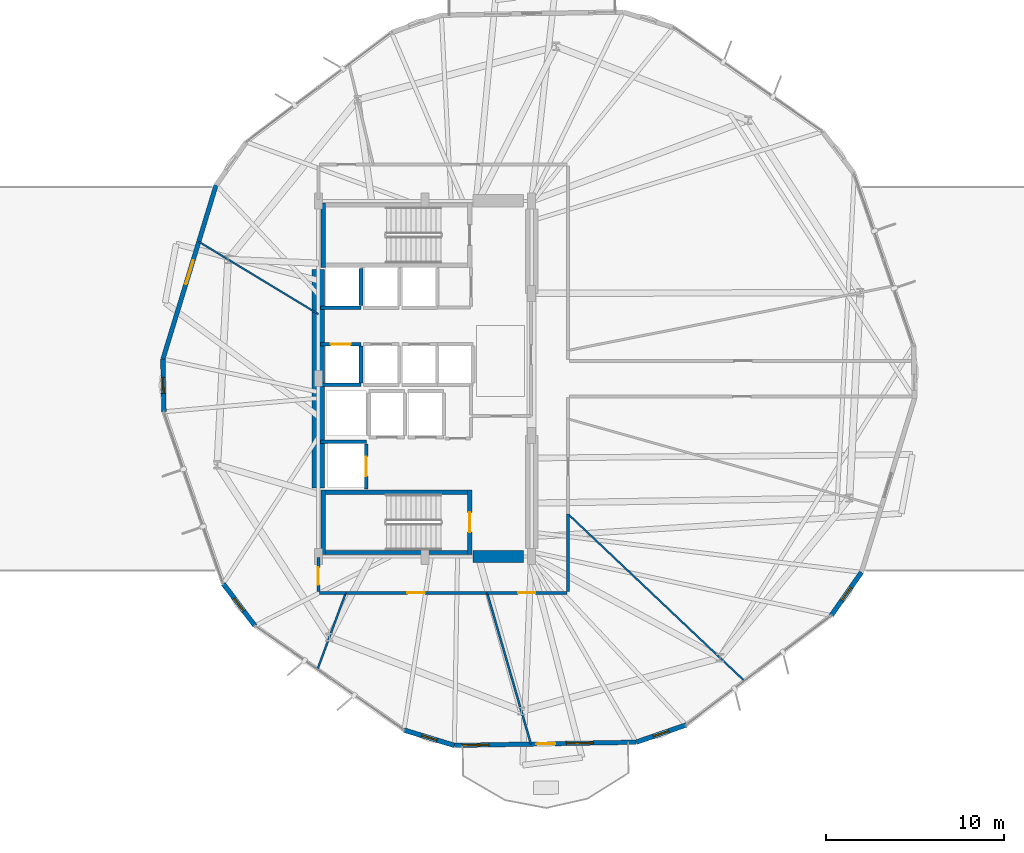
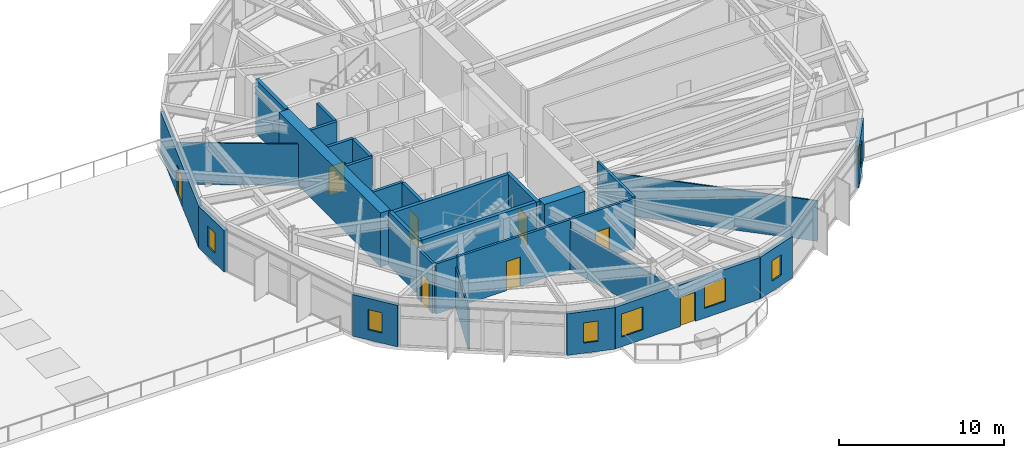
# One storey, part 17 of 23: 30 walls, 8 doors, 7 windows, 15 openings.
"""IFC4 building model written with IfcOpenShell, lengths in metres."""

import ifcopenshell
import ifcopenshell.guid

model = None  # the IFC model being written
_history = None  # IfcOwnerHistory: only IFC2X3 demands one
_inside = {}  # id of a spatial element -> (the spatial element, [elements in it])
_under = {}  # id of a project, library or spatial element -> (it, [spatial elements below it])
_declared = {}  # id of a project -> (the project, [libraries it declares])
_typed = {}  # id of a type object -> (the type object, [elements of that type])
_made_of = {}  # id of a material, layer set ... -> (it, [elements and type objects made of it])


def new_model(schema):
    """Start an empty IFC model of exactly this schema.

    Asked for "IFC4X3", IfcOpenShell would pick the latest addendum, in which some entities
    have other attributes; the version numbers below select the first issue.
    IFC2X3 requires an IfcOwnerHistory on every rooted entity: one is made here for all.
    """
    global model, _history
    if schema == "IFC4X3":
        model = ifcopenshell.file(schema_version=(4, 3, 0, 0))
    else:
        model = ifcopenshell.file(schema=schema)
    _inside.clear()
    _under.clear()
    _declared.clear()
    _typed.clear()
    _made_of.clear()
    _history = None
    if model.schema == "IFC2X3":
        org = make("IfcOrganization", Name="unknown")
        user = make(
            "IfcPersonAndOrganization",
            ThePerson=make("IfcPerson", FamilyName="unknown"),
            TheOrganization=org,
        )
        app = make(
            "IfcApplication",
            ApplicationDeveloper=org,
            Version="unknown",
            ApplicationFullName="unknown",
            ApplicationIdentifier="unknown",
        )
        _history = make(
            "IfcOwnerHistory",
            OwningUser=user,
            OwningApplication=app,
            ChangeAction="ADDED",
            CreationDate=0,
        )
    return model


def make(cls, **values):
    """One entity of the class cls with the attributes given. An attribute that is None is left unset."""
    return model.create_entity(
        cls, **{name: value for name, value in values.items() if value is not None}
    )


def rooted(cls, **values):
    """An entity with a GlobalId (a new one), such as an element, a storey or a relation."""
    return make(cls, GlobalId=ifcopenshell.guid.new(), OwnerHistory=_history, **values)


def si_unit(unit_type, name, prefix=None):
    """IfcSIUnit, for example si_unit("LENGTHUNIT", "METRE", prefix="MILLI")."""
    return make("IfcSIUnit", UnitType=unit_type, Prefix=prefix, Name=name)


def assignment(units):
    """IfcUnitAssignment: the units of a project."""
    return None if units is None else make("IfcUnitAssignment", Units=units)


def point(xyz):
    """IfcCartesianPoint."""
    return None if xyz is None else make("IfcCartesianPoint", Coordinates=xyz)


def direction(xyz):
    """IfcDirection."""
    return None if xyz is None else make("IfcDirection", DirectionRatios=xyz)


def frame(location, z_axis=None, x_axis=None):
    """IfcAxis2Placement3D, a coordinate frame: its origin and axes. An axis left out is left unset."""
    return make(
        "IfcAxis2Placement3D",
        Location=point(location),
        Axis=direction(z_axis),
        RefDirection=direction(x_axis),
    )


def frame_2d(location, x_axis=None):
    """IfcAxis2Placement2D, a coordinate frame in the plane: its origin and x axis."""
    return make(
        "IfcAxis2Placement2D", Location=point(location), RefDirection=direction(x_axis)
    )


def origin():
    """The frame at (0, 0, 0) with its axes left unset."""
    return frame((0.0, 0.0, 0.0))


def place(relative_to, where):
    """IfcLocalPlacement: puts the frame where relative to a parent placement (None: the world)."""
    return make(
        "IfcLocalPlacement", PlacementRelTo=relative_to, RelativePlacement=where
    )


def context(
    kind, dimensions, precision=None, world=None, true_north=None, identifier=None
):
    """IfcGeometricRepresentationContext, for example the 3D "Model" context."""
    return make(
        "IfcGeometricRepresentationContext",
        ContextIdentifier=identifier,
        ContextType=kind,
        CoordinateSpaceDimension=dimensions,
        Precision=precision,
        WorldCoordinateSystem=world,
        TrueNorth=true_north,
    )


def subcontext(parent, identifier, kind, view, scale=None):
    """IfcGeometricRepresentationSubContext, for example "Body" below "Model"."""
    return make(
        "IfcGeometricRepresentationSubContext",
        ContextIdentifier=identifier,
        ContextType=kind,
        ParentContext=parent,
        TargetScale=scale,
        TargetView=view,
    )


def project(units=None, contexts=None):
    """IfcProject with its units and contexts."""
    return rooted(
        "IfcProject",
        Name="project",
        RepresentationContexts=contexts,
        UnitsInContext=assignment(units),
    )


def spatial(cls, under=None, at=None, **own):
    """A site, building, storey or space (cls), placed at a placement, below another one or the project."""
    s = rooted(cls, ObjectPlacement=at, **own)
    if under is not None:
        _under.setdefault(under.id(), (under, []))[1].append(s)
    return s


def profile(cls, at=None, kind="AREA", **sizes):
    """A parametric profile (cls). Its sizes go by their IFC names, for example OverallWidth=200.0."""
    return make(cls, ProfileType=kind, Position=at, **sizes)


def rectangle(**sizes):
    """IfcRectangleProfileDef."""
    return profile("IfcRectangleProfileDef", **sizes)


def extrude(swept, where, along, depth):
    """IfcExtrudedAreaSolid: the profile swept, set in the frame where, extruded along a direction by depth."""
    return make(
        "IfcExtrudedAreaSolid",
        SweptArea=swept,
        Position=where,
        ExtrudedDirection=direction(along),
        Depth=depth,
    )


def shape(context_of_items, identifier, shape_type, items):
    """IfcShapeRepresentation: the items that make up one representation, for example the "Body"."""
    return make(
        "IfcShapeRepresentation",
        ContextOfItems=context_of_items,
        RepresentationIdentifier=identifier,
        RepresentationType=shape_type,
        Items=items,
    )


def material(Name=None, Category=None):
    """IfcMaterial."""
    return make("IfcMaterial", Name=Name, Category=Category)


def layer(
    of_material, thickness, ventilated=None, Name=None, Category=None, Priority=None
):
    """IfcMaterialLayer: one layer of a wall or slab, of a material (None: an air gap)."""
    return make(
        "IfcMaterialLayer",
        Material=of_material,
        LayerThickness=thickness,
        IsVentilated=ventilated,
        Name=Name,
        Category=Category,
        Priority=Priority,
    )


def layer_set(layers, Name=None):
    """IfcMaterialLayerSet."""
    return make("IfcMaterialLayerSet", MaterialLayers=layers, LayerSetName=Name)


def made_of(thing, what):
    """Note that an element or type object is made of a material, layer set ...; save() writes the relation."""
    if what is not None:
        _made_of.setdefault(what.id(), (what, []))[1].append(thing)
    return thing


def type_object(cls, material=None, **own):
    """A type object (cls), such as IfcWallType, which elements share."""
    return made_of(rooted(cls, **own), material)


def element(
    cls,
    number,
    at=None,
    inside=None,
    cuts=None,
    type_object=None,
    material=None,
    context=None,
    identifier="Body",
    shape_type=None,
    held_by="IfcProductDefinitionShape",
    body=None,
    shapes=None,
    **own,
):
    """One element of the class cls, such as IfcWall. Its Tag is "e" and its number.

    at: its placement. inside: the storey or other place that contains it. cuts: it is an
    opening in that element (IfcRelVoidsElement). A single representation is given by context,
    identifier, shape_type and body (its items); several are given by shapes. held_by: the class
    of the entity that holds the representations. save() writes the other relations.
    """
    e = rooted(cls, Tag="e%d" % number, ObjectPlacement=at, **own)
    if body is not None:
        shapes = [shape(context, identifier, shape_type, body)]
    if shapes is not None:
        e.Representation = make(held_by, Representations=shapes)
    if inside is not None:
        _inside.setdefault(inside.id(), (inside, []))[1].append(e)
    if cuts is not None:
        rooted(
            "IfcRelVoidsElement", RelatingBuildingElement=cuts, RelatedOpeningElement=e
        )
    if type_object is not None:
        _typed.setdefault(type_object.id(), (type_object, []))[1].append(e)
    return made_of(e, material)


def fill(opening, filler):
    """IfcRelFillsElement: the door or window that sits in an opening."""
    return rooted(
        "IfcRelFillsElement",
        RelatingOpeningElement=opening,
        RelatedBuildingElement=filler,
    )


def aggregate(whole, parts):
    """IfcRelAggregates: a whole, such as a stair, and the parts it consists of."""
    return rooted("IfcRelAggregates", RelatingObject=whole, RelatedObjects=parts)


def save(model, path):
    """Write the relations noted so far, then the file.

    IfcRelAggregates (storeys below a building ...), IfcRelContainedInSpatialStructure (elements
    in a storey), IfcRelDefinesByType, IfcRelAssociatesMaterial and IfcRelDeclares: one each for
    every whole, place, type object, material and project.
    """
    for whole, parts in _under.values():
        aggregate(whole, parts)
    for where, things in _inside.values():
        rooted(
            "IfcRelContainedInSpatialStructure",
            RelatedElements=things,
            RelatingStructure=where,
        )
    for kind, things in _typed.values():
        rooted("IfcRelDefinesByType", RelatedObjects=things, RelatingType=kind)
    for what, things in _made_of.values():
        rooted("IfcRelAssociatesMaterial", RelatedObjects=things, RelatingMaterial=what)
    for by, libraries in _declared.values():
        rooted("IfcRelDeclares", RelatingContext=by, RelatedDefinitions=libraries)
    model.write(path)


model = new_model("IFC4")

# Units and contexts
model_context = context("Model", 3, precision=1e-05, world=origin(), true_north=direction((0.0, 1.0)))
body_context = subcontext(model_context, "Body", "Model", "MODEL_VIEW")
ifc_project = project(units=[si_unit("LENGTHUNIT", "METRE"), si_unit("AREAUNIT", "SQUARE_METRE"), si_unit("VOLUMEUNIT", "CUBIC_METRE"), si_unit("PLANEANGLEUNIT", "RADIAN"), si_unit("MASSUNIT", "GRAM", prefix="KILO")], contexts=[model_context])

# Site, building, storey
site_placement = place(None, origin())
site = spatial("IfcSite", under=ifc_project, at=site_placement, CompositionType="ELEMENT")
building_placement = place(site_placement, origin())
building = spatial("IfcBuilding", under=site, at=building_placement, Name="Soratama Intermodal Tower", CompositionType="ELEMENT")
storey_placement = place(building_placement, frame((0.0, 0.0, 30.60009765625)))
storey = spatial("IfcBuildingStorey", under=building, at=storey_placement, Name="L06", CompositionType="ELEMENT", Elevation=30.60009765625)

# Wall, opening, door
ifc_material_1 = material(Name="Concrete f'c 42 MPa", Category="concrete")
ifc_layer_1 = layer(ifc_material_1, 0.25)
ifc_layer_set_1 = layer_set([ifc_layer_1], Name="Concrete f'c 42 MPa")
wall_type_1 = type_object("IfcWallType", Name="EW-BAL-250", PredefinedType="SOLIDWALL", material=ifc_layer_set_1)
wall_1_placement = place(storey_placement, frame((26.846435546875, 35.891357421875, 0.0), z_axis=(0.0, 0.0, 1.0), x_axis=(-0.292034213335, -0.956407872323, 0.0)))
wall_1 = element("IfcWall", 1, at=wall_1_placement, inside=storey, type_object=wall_type_1, Name="L06 Terrace Wall F05", PredefinedType="SOLIDWALL", context=body_context, shape_type="SweptSolid", body=[
    extrude(rectangle(XDim=10.230224609375, YDim=0.25, at=frame_2d((5.115234375, 0.0))), origin(), (0.0, 0.0, 1.0), 3.078857421875),
])
opening_1_placement = place(wall_1_placement, frame((4.4150390625, 0.0, 0.0)))
opening_1 = element("IfcOpeningElement", 2, at=opening_1_placement, cuts=wall_1, Name="Opening ED-3", PredefinedType="OPENING", context=body_context, shape_type="SweptSolid", body=[
    extrude(rectangle(XDim=1.39990234375, YDim=2.199951171875, at=frame_2d((0.699951171875, 1.10009765625))), frame((0.0, 0.135009765625, 0.0), z_axis=(0.0, -1.0, 0.0), x_axis=(1.0, 0.0, 0.0)), (0.0, 0.0, 1.0), 0.27001953125),
])
ifc_material_2 = material(Name="Double-glazed aluminium door", Category="aluminium")
door_type_1 = type_object("IfcDoorType", Name="DR-TERR-1400", OperationType="NOTDEFINED", PredefinedType="DOOR", material=ifc_material_2)
door_1_placement = place(opening_1_placement, origin())
door_1 = element("IfcDoor", 3, at=door_1_placement, inside=storey, type_object=door_type_1, Name="L06 Terrace Door F05", OperationType="SINGLE_SWING_RIGHT", OverallHeight=2.199951171875, OverallWidth=1.39990234375, PredefinedType="DOOR", context=body_context, shape_type="SweptSolid", body=[
    extrude(rectangle(XDim=1.39990234375, YDim=2.199951171875, at=frame_2d((0.699951171875, 1.10009765625))), frame((0.0, 0.02490234375, 0.0), z_axis=(0.0, -1.0, 0.0), x_axis=(1.0, 0.0, 0.0)), (0.0, 0.0, 1.0), 0.050048828125),
])
fill(opening_1, door_1)

# Wall, openings, door, windows
wall_2_placement = place(storey_placement, frame((40.251220703125, 4.369384765625, 0.0), z_axis=(0.0, 0.0, 1.0), x_axis=(0.999841518507, 0.017802748951, 0.0)))
wall_2 = element("IfcWall", 4, at=wall_2_placement, inside=storey, type_object=wall_type_1, Name="L06 Terrace Wall F08", PredefinedType="SOLIDWALL", context=body_context, shape_type="SweptSolid", body=[
    extrude(rectangle(XDim=10.23046875, YDim=0.25, at=frame_2d((5.115234375, 0.0))), origin(), (0.0, 0.0, 1.0), 3.078857421875),
])
opening_2_placement = place(wall_2_placement, frame((4.615234375, 0.0, 0.0)))
opening_2 = element("IfcOpeningElement", 5, at=opening_2_placement, cuts=wall_2, Name="Opening ED-5", PredefinedType="OPENING", context=body_context, shape_type="SweptSolid", body=[
    extrude(rectangle(XDim=1.050048828125, YDim=2.14990234375, at=frame_2d((0.52490234375, 1.074951171875))), frame((0.0, 0.135009765625, 0.0), z_axis=(0.0, -1.0, 0.0), x_axis=(1.0, 0.0, 0.0)), (0.0, 0.0, 1.0), 0.27001953125),
])
opening_3_placement = place(wall_2_placement, frame((0.43994140625, 0.0, 0.719970703125)))
opening_3 = element("IfcOpeningElement", 6, at=opening_3_placement, cuts=wall_2, Name="Opening WN-1", PredefinedType="OPENING", context=body_context, shape_type="SweptSolid", body=[
    extrude(rectangle(XDim=1.5, YDim=1.699951171875, at=frame_2d((0.75, 0.85009765625))), frame((0.0, 0.135009765625, 0.0), z_axis=(0.0, -1.0, 0.0), x_axis=(1.0, 0.0, 0.0)), (0.0, 0.0, 1.0), 0.27001953125),
])
opening_4_placement = place(wall_2_placement, frame((6.30517578125, 0.0, 0.719970703125)))
opening_4 = element("IfcOpeningElement", 7, at=opening_4_placement, cuts=wall_2, Name="Opening WN-1", PredefinedType="OPENING", context=body_context, shape_type="SweptSolid", body=[
    extrude(rectangle(XDim=1.5, YDim=1.699951171875, at=frame_2d((0.75, 0.85009765625))), frame((0.0, 0.135009765625, 0.0), z_axis=(0.0, -1.0, 0.0), x_axis=(1.0, 0.0, 0.0)), (0.0, 0.0, 1.0), 0.27001953125),
])
ifc_material_3 = material(Name="Double-glazed aluminium door", Category="aluminium")
door_type_2 = type_object("IfcDoorType", Name="DR-BAL-1050", OperationType="NOTDEFINED", PredefinedType="DOOR", material=ifc_material_3)
door_2_placement = place(opening_2_placement, origin())
door_2 = element("IfcDoor", 8, at=door_2_placement, inside=storey, type_object=door_type_2, Name="L06 Balcony Door F08", OperationType="SINGLE_SWING_RIGHT", OverallHeight=2.14990234375, OverallWidth=1.050048828125, PredefinedType="DOOR", context=body_context, shape_type="SweptSolid", body=[
    extrude(rectangle(XDim=1.050048828125, YDim=2.14990234375, at=frame_2d((0.52490234375, 1.074951171875))), frame((0.0, 0.02490234375, 0.0), z_axis=(0.0, -1.0, 0.0), x_axis=(1.0, 0.0, 0.0)), (0.0, 0.0, 1.0), 0.050048828125),
])
fill(opening_2, door_2)
ifc_material_4 = material(Name="Double-glazed aluminium window", Category="aluminium")
window_type_1 = type_object("IfcWindowType", Name="WN-FAC-1500", PartitioningType="SINGLE_PANEL", PredefinedType="WINDOW", material=ifc_material_4)
window_1_placement = place(opening_3_placement, origin())
window_1 = element("IfcWindow", 9, at=window_1_placement, inside=storey, type_object=window_type_1, Name="L06 Window A F08", OverallHeight=1.699951171875, OverallWidth=1.5, PartitioningType="SINGLE_PANEL", PredefinedType="WINDOW", context=body_context, shape_type="SweptSolid", body=[
    extrude(rectangle(XDim=1.5, YDim=1.699951171875, at=frame_2d((0.75, 0.85009765625))), frame((0.0, 0.030029296875, 0.0), z_axis=(0.0, -1.0, 0.0), x_axis=(1.0, 0.0, 0.0)), (0.0, 0.0, 1.0), 0.06005859375),
])
fill(opening_3, window_1)
window_2_placement = place(opening_4_placement, origin())
window_2 = element("IfcWindow", 10, at=window_2_placement, inside=storey, type_object=window_type_1, Name="L06 Window B F08", OverallHeight=1.699951171875, OverallWidth=1.5, PartitioningType="SINGLE_PANEL", PredefinedType="WINDOW", context=body_context, shape_type="SweptSolid", body=[
    extrude(rectangle(XDim=1.5, YDim=1.699951171875, at=frame_2d((0.75, 0.85009765625))), frame((0.0, 0.030029296875, 0.0), z_axis=(0.0, -1.0, 0.0), x_axis=(1.0, 0.0, 0.0)), (0.0, 0.0, 1.0), 0.06005859375),
])
fill(opening_4, window_2)

# Wall, opening, window
ifc_material_5 = material(Name="Concrete f'c 42 MPa", Category="concrete")
ifc_layer_2 = layer(ifc_material_5, 0.27001953125)
ifc_layer_set_2 = layer_set([ifc_layer_2], Name="Concrete f'c 42 MPa")
wall_type_2 = type_object("IfcWallType", Name="EW-CRN-270", PredefinedType="SOLIDWALL", material=ifc_layer_set_2)
wall_3_placement = place(storey_placement, frame((23.85888671875, 26.107177734375, 0.0), z_axis=(0.0, 0.0, 1.0), x_axis=(0.017776431734, -0.999841986753, 0.0)))
wall_3 = element("IfcWall", 11, at=wall_3_placement, inside=storey, type_object=wall_type_2, Name="L06 Corner Closure Wall 05", PredefinedType="SOLIDWALL", context=body_context, shape_type="SweptSolid", body=[
    extrude(rectangle(XDim=2.966552734375, YDim=0.27001953125, at=frame_2d((1.4833984375, 0.0))), origin(), (0.0, 0.0, 1.0), 3.078857421875),
])
opening_5_placement = place(wall_3_placement, frame((1.033203125, 0.0, 0.75)))
opening_5 = element("IfcOpeningElement", 12, at=opening_5_placement, cuts=wall_3, Name="Opening WN-6", PredefinedType="OPENING", context=body_context, shape_type="SweptSolid", body=[
    extrude(rectangle(XDim=0.89990234375, YDim=1.5, at=frame_2d((0.449951171875, 0.75))), frame((0.0, 0.14501953125, 0.0), z_axis=(0.0, -1.0, 0.0), x_axis=(1.0, 0.0, 0.0)), (0.0, 0.0, 1.0), 0.2900390625),
])
ifc_material_6 = material(Name="Double-glazed aluminium window", Category="aluminium")
window_type_2 = type_object("IfcWindowType", Name="WN-FAC-900", PartitioningType="SINGLE_PANEL", PredefinedType="WINDOW", material=ifc_material_6)
window_3_placement = place(opening_5_placement, origin())
window_3 = element("IfcWindow", 13, at=window_3_placement, inside=storey, type_object=window_type_2, Name="L06 Corner Window 05", OverallHeight=1.5, OverallWidth=0.89990234375, PartitioningType="SINGLE_PANEL", PredefinedType="WINDOW", context=body_context, shape_type="SweptSolid", body=[
    extrude(rectangle(XDim=0.89990234375, YDim=1.5, at=frame_2d((0.449951171875, 0.75))), frame((0.0, 0.030029296875, 0.0), z_axis=(0.0, -1.0, 0.0), x_axis=(1.0, 0.0, 0.0)), (0.0, 0.0, 1.0), 0.06005859375),
])
fill(opening_5, window_3)

wall_4_placement = place(storey_placement, frame((27.24560546875, 13.46923828125, 0.0), z_axis=(0.0, 0.0, 1.0), x_axis=(0.602130877059, -0.798397399102, 0.0)))
wall_4 = element("IfcWall", 14, at=wall_4_placement, inside=storey, type_object=wall_type_2, Name="L06 Corner Closure Wall 06", PredefinedType="SOLIDWALL", context=body_context, shape_type="SweptSolid", body=[
    extrude(rectangle(XDim=2.966796875, YDim=0.27001953125, at=frame_2d((1.4833984375, 0.0))), origin(), (0.0, 0.0, 1.0), 3.078857421875),
])
opening_6_placement = place(wall_4_placement, frame((1.033203125, 0.0, 0.75)))
opening_6 = element("IfcOpeningElement", 15, at=opening_6_placement, cuts=wall_4, Name="Opening WN-6", PredefinedType="OPENING", context=body_context, shape_type="SweptSolid", body=[
    extrude(rectangle(XDim=0.89990234375, YDim=1.5, at=frame_2d((0.449951171875, 0.75))), frame((0.0, 0.14501953125, 0.0), z_axis=(0.0, -1.0, 0.0), x_axis=(1.0, 0.0, 0.0)), (0.0, 0.0, 1.0), 0.2900390625),
])
window_4_placement = place(opening_6_placement, origin())
window_4 = element("IfcWindow", 16, at=window_4_placement, inside=storey, type_object=window_type_2, Name="L06 Corner Window 06", OverallHeight=1.5, OverallWidth=0.89990234375, PartitioningType="SINGLE_PANEL", PredefinedType="WINDOW", context=body_context, shape_type="SweptSolid", body=[
    extrude(rectangle(XDim=0.89990234375, YDim=1.5, at=frame_2d((0.449951171875, 0.75))), frame((0.0, 0.030029296875, 0.0), z_axis=(0.0, -1.0, 0.0), x_axis=(1.0, 0.0, 0.0)), (0.0, 0.0, 1.0), 0.06005859375),
])
fill(opening_6, window_4)

wall_5_placement = place(storey_placement, frame((37.4140625, 5.235595703125, 0.0), z_axis=(0.0, 0.0, 1.0), x_axis=(0.956417352577, -0.292003163836, 0.0)))
wall_5 = element("IfcWall", 17, at=wall_5_placement, inside=storey, type_object=wall_type_2, Name="L06 Corner Closure Wall 07", PredefinedType="SOLIDWALL", context=body_context, shape_type="SweptSolid", body=[
    extrude(rectangle(XDim=2.966552734375, YDim=0.27001953125, at=frame_2d((1.4833984375, 0.0))), origin(), (0.0, 0.0, 1.0), 3.078857421875),
])
opening_7_placement = place(wall_5_placement, frame((1.033203125, 0.0, 0.75)))
opening_7 = element("IfcOpeningElement", 18, at=opening_7_placement, cuts=wall_5, Name="Opening WN-6", PredefinedType="OPENING", context=body_context, shape_type="SweptSolid", body=[
    extrude(rectangle(XDim=0.89990234375, YDim=1.5, at=frame_2d((0.449951171875, 0.75))), frame((0.0, 0.14501953125, 0.0), z_axis=(0.0, -1.0, 0.0), x_axis=(1.0, 0.0, 0.0)), (0.0, 0.0, 1.0), 0.2900390625),
])
window_5_placement = place(opening_7_placement, origin())
window_5 = element("IfcWindow", 19, at=window_5_placement, inside=storey, type_object=window_type_2, Name="L06 Corner Window 07", OverallHeight=1.5, OverallWidth=0.89990234375, PartitioningType="SINGLE_PANEL", PredefinedType="WINDOW", context=body_context, shape_type="SweptSolid", body=[
    extrude(rectangle(XDim=0.89990234375, YDim=1.5, at=frame_2d((0.449951171875, 0.75))), frame((0.0, 0.030029296875, 0.0), z_axis=(0.0, -1.0, 0.0), x_axis=(1.0, 0.0, 0.0)), (0.0, 0.0, 1.0), 0.06005859375),
])
fill(opening_7, window_5)

wall_6_placement = place(storey_placement, frame((50.47998046875, 4.551513671875, 0.0), z_axis=(0.0, 0.0, 1.0), x_axis=(0.945407958228, 0.325889233512, 0.0)))
wall_6 = element("IfcWall", 20, at=wall_6_placement, inside=storey, type_object=wall_type_2, Name="L06 Corner Closure Wall 08", PredefinedType="SOLIDWALL", context=body_context, shape_type="SweptSolid", body=[
    extrude(rectangle(XDim=2.966552734375, YDim=0.27001953125, at=frame_2d((1.4833984375, 0.0))), origin(), (0.0, 0.0, 1.0), 3.078857421875),
])
opening_8_placement = place(wall_6_placement, frame((1.033203125, 0.0, 0.75)))
opening_8 = element("IfcOpeningElement", 21, at=opening_8_placement, cuts=wall_6, Name="Opening WN-6", PredefinedType="OPENING", context=body_context, shape_type="SweptSolid", body=[
    extrude(rectangle(XDim=0.89990234375, YDim=1.5, at=frame_2d((0.449951171875, 0.75))), frame((0.0, 0.14501953125, 0.0), z_axis=(0.0, -1.0, 0.0), x_axis=(1.0, 0.0, 0.0)), (0.0, 0.0, 1.0), 0.2900390625),
])
window_6_placement = place(opening_8_placement, origin())
window_6 = element("IfcWindow", 22, at=window_6_placement, inside=storey, type_object=window_type_2, Name="L06 Corner Window 08", OverallHeight=1.5, OverallWidth=0.89990234375, PartitioningType="SINGLE_PANEL", PredefinedType="WINDOW", context=body_context, shape_type="SweptSolid", body=[
    extrude(rectangle(XDim=0.89990234375, YDim=1.5, at=frame_2d((0.449951171875, 0.75))), frame((0.0, 0.030029296875, 0.0), z_axis=(0.0, -1.0, 0.0), x_axis=(1.0, 0.0, 0.0)), (0.0, 0.0, 1.0), 0.06005859375),
])
fill(opening_8, window_6)

wall_7_placement = place(storey_placement, frame((61.452880859375, 11.677978515625, 0.0), z_axis=(0.0, 0.0, 1.0), x_axis=(0.573285584338, 0.819355624128, 0.0)))
wall_7 = element("IfcWall", 23, at=wall_7_placement, inside=storey, type_object=wall_type_2, Name="L06 Corner Closure Wall 09", PredefinedType="SOLIDWALL", context=body_context, shape_type="SweptSolid", body=[
    extrude(rectangle(XDim=2.966552734375, YDim=0.27001953125, at=frame_2d((1.4833984375, 0.0))), origin(), (0.0, 0.0, 1.0), 3.078857421875),
])
opening_9_placement = place(wall_7_placement, frame((1.033203125, 0.0, 0.75)))
opening_9 = element("IfcOpeningElement", 24, at=opening_9_placement, cuts=wall_7, Name="Opening WN-6", PredefinedType="OPENING", context=body_context, shape_type="SweptSolid", body=[
    extrude(rectangle(XDim=0.89990234375, YDim=1.5, at=frame_2d((0.449951171875, 0.75))), frame((0.0, 0.14501953125, 0.0), z_axis=(0.0, -1.0, 0.0), x_axis=(1.0, 0.0, 0.0)), (0.0, 0.0, 1.0), 0.2900390625),
])
window_7_placement = place(opening_9_placement, origin())
window_7 = element("IfcWindow", 25, at=window_7_placement, inside=storey, type_object=window_type_2, Name="L06 Corner Window 09", OverallHeight=1.5, OverallWidth=0.89990234375, PartitioningType="SINGLE_PANEL", PredefinedType="WINDOW", context=body_context, shape_type="SweptSolid", body=[
    extrude(rectangle(XDim=0.89990234375, YDim=1.5, at=frame_2d((0.449951171875, 0.75))), frame((0.0, 0.030029296875, 0.0), z_axis=(0.0, -1.0, 0.0), x_axis=(1.0, 0.0, 0.0)), (0.0, 0.0, 1.0), 0.06005859375),
])
fill(opening_9, window_7)

# Wall, opening, door
ifc_material_7 = material(Name="Fire-rated gypsum stud partition", Category="concrete")
ifc_layer_3 = layer(ifc_material_7, 0.169921875)
ifc_layer_set_3 = layer_set([ifc_layer_3], Name="Fire-rated gypsum stud partition")
wall_type_3 = type_object("IfcWallType", Name="IW-PART-R170", PredefinedType="PARTITIONING", material=ifc_layer_set_3)
wall_8_placement = place(storey_placement, frame((42.093994140625, 12.949951171875, 0.0), z_axis=(0.0, 0.0, 1.0), x_axis=(-1.0, 0.0, 0.0)))
wall_8 = element("IfcWall", 26, at=wall_8_placement, inside=storey, type_object=wall_type_3, Name="L06 Partition W-L06-TP009", PredefinedType="PARTITIONING", context=body_context, shape_type="SweptSolid", body=[
    extrude(rectangle(XDim=7.950927734375, YDim=0.169921875, at=frame_2d((3.9755859375, 0.0))), origin(), (0.0, 0.0, 1.0), 3.699951171875),
])
opening_10_placement = place(wall_8_placement, frame((3.5009765625, 0.0, 0.0)))
opening_10 = element("IfcOpeningElement", 27, at=opening_10_placement, cuts=wall_8, Name="Opening ID-5", PredefinedType="OPENING", context=body_context, shape_type="SweptSolid", body=[
    extrude(rectangle(XDim=0.97998046875, YDim=2.14990234375, at=frame_2d((0.489990234375, 1.074951171875))), frame((0.0, 0.094970703125, 0.0), z_axis=(0.0, -1.0, 0.0), x_axis=(1.0, 0.0, 0.0)), (0.0, 0.0, 1.0), 0.18994140625),
])
ifc_material_8 = material(Name="Solid hardwood acoustic door", Category="wood")
door_type_3 = type_object("IfcDoorType", Name="DR-OFF-980", OperationType="NOTDEFINED", PredefinedType="DOOR", material=ifc_material_8)
door_3_placement = place(opening_10_placement, origin())
door_3 = element("IfcDoor", 28, at=door_3_placement, inside=storey, type_object=door_type_3, Name="L06 Door D-L06-TP004", OperationType="SINGLE_SWING_LEFT", OverallHeight=2.14990234375, OverallWidth=0.97998046875, PredefinedType="DOOR", context=body_context, shape_type="SweptSolid", body=[
    extrude(rectangle(XDim=0.97998046875, YDim=2.14990234375, at=frame_2d((0.489990234375, 1.074951171875))), frame((0.0, 0.02490234375, 0.0), z_axis=(0.0, -1.0, 0.0), x_axis=(1.0, 0.0, 0.0)), (0.0, 0.0, 1.0), 0.050048828125),
])
fill(opening_10, door_3)

wall_9_placement = place(storey_placement, frame((46.580078125, 12.949951171875, 0.0), z_axis=(0.0, 0.0, 1.0), x_axis=(-1.0, 0.0, 0.0)))
wall_9 = element("IfcWall", 29, at=wall_9_placement, inside=storey, type_object=wall_type_3, Name="L06 Partition W-L06-TP015", PredefinedType="PARTITIONING", context=body_context, shape_type="SweptSolid", body=[
    extrude(rectangle(XDim=4.486083984375, YDim=0.169921875, at=frame_2d((2.2431640625, 0.0))), origin(), (0.0, 0.0, 1.0), 3.699951171875),
])
opening_11_placement = place(wall_9_placement, frame((1.76806640625, 0.0, 0.0)))
opening_11 = element("IfcOpeningElement", 30, at=opening_11_placement, cuts=wall_9, Name="Opening ID-5", PredefinedType="OPENING", context=body_context, shape_type="SweptSolid", body=[
    extrude(rectangle(XDim=0.97998046875, YDim=2.14990234375, at=frame_2d((0.489990234375, 1.074951171875))), frame((0.0, 0.094970703125, 0.0), z_axis=(0.0, -1.0, 0.0), x_axis=(1.0, 0.0, 0.0)), (0.0, 0.0, 1.0), 0.18994140625),
])
door_4_placement = place(opening_11_placement, origin())
door_4 = element("IfcDoor", 31, at=door_4_placement, inside=storey, type_object=door_type_3, Name="L06 Door D-L06-TP007", OperationType="SINGLE_SWING_RIGHT", OverallHeight=2.14990234375, OverallWidth=0.97998046875, PredefinedType="DOOR", context=body_context, shape_type="SweptSolid", body=[
    extrude(rectangle(XDim=0.97998046875, YDim=2.14990234375, at=frame_2d((0.489990234375, 1.074951171875))), frame((0.0, 0.02490234375, 0.0), z_axis=(0.0, -1.0, 0.0), x_axis=(1.0, 0.0, 0.0)), (0.0, 0.0, 1.0), 0.050048828125),
])
fill(opening_11, door_4)

# Wall
wall_10_placement = place(storey_placement, frame((46.64990234375, 17.385009765625, 0.0), z_axis=(0.0, 0.0, 1.0), x_axis=(0.0, -1.0, 0.0)))
element("IfcWall", 32, at=wall_10_placement, inside=storey, type_object=wall_type_3, Name="L06 Partition W-L06-TP016", PredefinedType="PARTITIONING", context=body_context, shape_type="SweptSolid", body=[
    extrude(rectangle(XDim=4.364990234375, YDim=0.169921875, at=frame_2d((2.1826171875, 0.0))), origin(), (0.0, 0.0, 1.0), 3.699951171875),
])

# Wall, opening, door
wall_11_placement = place(storey_placement, frame((32.60009765625, 13.02001953125, 0.0), z_axis=(0.0, 0.0, 1.0), x_axis=(0.0, 1.0, 0.0)))
wall_11 = element("IfcWall", 33, at=wall_11_placement, inside=storey, type_object=wall_type_3, Name="L06 Partition W-L06-TP020", PredefinedType="PARTITIONING", context=body_context, shape_type="SweptSolid", body=[
    extrude(rectangle(XDim=1.909912109375, YDim=0.169921875, at=frame_2d((0.955078125, 0.0))), origin(), (0.0, 0.0, 1.0), 3.699951171875),
])
opening_12_placement = place(wall_11_placement, frame((0.384033203125, 0.0, 0.0)))
opening_12 = element("IfcOpeningElement", 34, at=opening_12_placement, cuts=wall_11, Name="Opening ID-5", PredefinedType="OPENING", context=body_context, shape_type="SweptSolid", body=[
    extrude(rectangle(XDim=0.97998046875, YDim=2.14990234375, at=frame_2d((0.489990234375, 1.074951171875))), frame((0.0, 0.094970703125, 0.0), z_axis=(0.0, -1.0, 0.0), x_axis=(1.0, 0.0, 0.0)), (0.0, 0.0, 1.0), 0.18994140625),
])
door_5_placement = place(opening_12_placement, origin())
door_5 = element("IfcDoor", 35, at=door_5_placement, inside=storey, type_object=door_type_3, Name="L06 Door D-L06-TP011", OperationType="SINGLE_SWING_RIGHT", OverallHeight=2.14990234375, OverallWidth=0.97998046875, PredefinedType="DOOR", context=body_context, shape_type="SweptSolid", body=[
    extrude(rectangle(XDim=0.97998046875, YDim=2.14990234375, at=frame_2d((0.489990234375, 1.074951171875))), frame((0.0, 0.02490234375, 0.0), z_axis=(0.0, -1.0, 0.0), x_axis=(1.0, 0.0, 0.0)), (0.0, 0.0, 1.0), 0.050048828125),
])
fill(opening_12, door_5)

# Walls
wall_12_placement = place(storey_placement, frame((34.14306640625, 12.949951171875, 0.0), z_axis=(0.0, 0.0, 1.0), x_axis=(-1.0, 0.0, 0.0)))
element("IfcWall", 36, at=wall_12_placement, inside=storey, type_object=wall_type_3, Name="L06 Partition W-L06-TP024", PredefinedType="PARTITIONING", context=body_context, shape_type="SweptSolid", body=[
    extrude(rectangle(XDim=1.47314453125, YDim=0.169921875, at=frame_2d((0.736572265625, 0.0))), origin(), (0.0, 0.0, 1.0), 3.699951171875),
])
ifc_material_9 = material(Name="Fire-rated gypsum stud partition", Category="concrete")
ifc_layer_4 = layer(ifc_material_9, 0.10009765625)
ifc_layer_set_4 = layer_set([ifc_layer_4], Name="Fire-rated gypsum stud partition")
wall_type_4 = type_object("IfcWallType", Name="IW-PART-S100", PredefinedType="PARTITIONING", material=ifc_layer_set_4)
wall_13_placement = place(storey_placement, frame((46.64990234375, 17.385009765625, 0.0), z_axis=(0.0, 0.0, 1.0), x_axis=(0.726425487131, -0.687245233993, 0.0)))
element("IfcWall", 37, at=wall_13_placement, inside=storey, type_object=wall_type_4, Name="L06 Partition W-L06-TP005", PredefinedType="PARTITIONING", context=body_context, shape_type="SweptSolid", body=[
    extrude(rectangle(XDim=13.658935546875, YDim=0.10009765625, at=frame_2d((6.82958984375, 0.0))), origin(), (0.0, 0.0, 1.0), 2.994873046875),
])
wall_14_placement = place(storey_placement, frame((32.60009765625, 28.634033203125, 0.0), z_axis=(0.0, 0.0, 1.0), x_axis=(-0.855390028233, 0.517984458839, 0.0)))
element("IfcWall", 38, at=wall_14_placement, inside=storey, type_object=wall_type_4, Name="L06 Partition W-L06-TP010", PredefinedType="PARTITIONING", context=body_context, shape_type="SweptSolid", body=[
    extrude(rectangle(XDim=7.86328125, YDim=0.10009765625, at=frame_2d((3.931640625, 0.0))), origin(), (0.0, 0.0, 1.0), 3.073974609375),
])
ifc_material_10 = material(Name="Fire-rated gypsum stud partition", Category="concrete")
ifc_layer_5 = layer(ifc_material_10, 0.110107421875)
ifc_layer_set_5 = layer_set([ifc_layer_5], Name="Fire-rated gypsum stud partition")
wall_type_5 = type_object("IfcWallType", Name="IW-PART-S110", PredefinedType="PARTITIONING", material=ifc_layer_set_5)
wall_15_placement = place(storey_placement, frame((34.14306640625, 12.949951171875, 0.0), z_axis=(0.0, 0.0, 1.0), x_axis=(-0.3470565426, -0.937844206805, 0.0)))
element("IfcWall", 39, at=wall_15_placement, inside=storey, type_object=wall_type_5, Name="L06 Partition W-L06-TP014", PredefinedType="PARTITIONING", context=body_context, shape_type="SweptSolid", body=[
    extrude(rectangle(XDim=4.595703125, YDim=0.110107421875, at=frame_2d((2.2978515625, 0.0))), origin(), (0.0, 0.0, 1.0), 2.994873046875),
])
ifc_material_11 = material(Name="Fire-rated gypsum stud partition", Category="concrete")
ifc_layer_6 = layer(ifc_material_11, 0.1201171875)
ifc_layer_set_6 = layer_set([ifc_layer_6], Name="Fire-rated gypsum stud partition")
wall_type_6 = type_object("IfcWallType", Name="IW-PART-S120", PredefinedType="PARTITIONING", material=ifc_layer_set_6)
wall_16_placement = place(storey_placement, frame((42.093994140625, 12.949951171875, 0.0), z_axis=(0.0, 0.0, 1.0), x_axis=(0.278517328655, -0.960431204011, 0.0)))
element("IfcWall", 40, at=wall_16_placement, inside=storey, type_object=wall_type_6, Name="L06 Partition W-L06-TP008", PredefinedType="PARTITIONING", context=body_context, shape_type="SweptSolid", body=[
    extrude(rectangle(XDim=8.854248046875, YDim=0.1201171875, at=frame_2d((4.42724609375, 0.0))), origin(), (0.0, 0.0, 1.0), 2.994873046875),
])
ifc_material_12 = material(Name="Concrete f'c 42 MPa", Category="concrete")
ifc_layer_7 = layer(ifc_material_12, 0.199951171875)
ifc_layer_set_7 = layer_set([ifc_layer_7], Name="Concrete f'c 42 MPa")
wall_type_7 = type_object("IfcWallType", Name="IW-SHAFT-200", PredefinedType="SOLIDWALL", material=ifc_layer_set_7)
wall_17_placement = place(storey_placement, frame((32.719970703125, 21.449951171875, 0.0), z_axis=(0.0, 0.0, 1.0), x_axis=(1.0, 0.0, 0.0)))
element("IfcWall", 41, at=wall_17_placement, inside=storey, type_object=wall_type_7, Name="L06 SVL-1 Hoistway Wall N", PredefinedType="SOLIDWALL", context=body_context, shape_type="SweptSolid", body=[
    extrude(rectangle(XDim=2.580078125, YDim=0.199951171875, at=frame_2d((1.2900390625, 0.0))), origin(), (0.0, 0.0, 1.0), 3.699951171875),
])

# Wall, opening, door
wall_18_placement = place(storey_placement, frame((35.300048828125, 18.7900390625, 0.0), z_axis=(0.0, 0.0, 1.0), x_axis=(0.0, 1.0, 0.0)))
wall_18 = element("IfcWall", 42, at=wall_18_placement, inside=storey, type_object=wall_type_7, Name="L06 SVL-1 Hoistway Wall E", PredefinedType="SOLIDWALL", context=body_context, shape_type="SweptSolid", body=[
    extrude(rectangle(XDim=2.550048828125, YDim=0.199951171875, at=frame_2d((1.27490234375, 0.0))), origin(), (0.0, 0.0, 1.0), 3.699951171875),
])
opening_13_placement = place(wall_18_placement, frame((0.72509765625, 0.0, 0.0)))
opening_13 = element("IfcOpeningElement", 43, at=opening_13_placement, cuts=wall_18, Name="Opening LD-1", PredefinedType="OPENING", context=body_context, shape_type="SweptSolid", body=[
    extrude(rectangle(XDim=1.10009765625, YDim=2.14990234375, at=frame_2d((0.550048828125, 1.074951171875))), frame((0.0, 0.10986328125, 0.0), z_axis=(0.0, -1.0, 0.0), x_axis=(1.0, 0.0, 0.0)), (0.0, 0.0, 1.0), 0.219970703125),
])
ifc_material_13 = material(Name="Steel fire door", Category="steel")
door_type_4 = type_object("IfcDoorType", Name="DR-LIFT-SLIDE", OperationType="NOTDEFINED", PredefinedType="DOOR", material=ifc_material_13)
door_6_placement = place(opening_13_placement, origin())
door_6 = element("IfcDoor", 44, at=door_6_placement, inside=storey, type_object=door_type_4, Name="L06 SVL-1 Sliding Landing Door", OperationType="SLIDING_TO_LEFT", OverallHeight=2.14990234375, OverallWidth=1.10009765625, PredefinedType="DOOR", context=body_context, shape_type="SweptSolid", body=[
    extrude(rectangle(XDim=1.10009765625, YDim=2.14990234375, at=frame_2d((0.550048828125, 1.074951171875))), frame((0.0, 0.02490234375, 0.0), z_axis=(0.0, -1.0, 0.0), x_axis=(1.0, 0.0, 0.0)), (0.0, 0.0, 1.0), 0.050048828125),
])
fill(opening_13, door_6)

# Wall
wall_19_placement = place(storey_placement, frame((32.719970703125, 24.64990234375, 0.0), z_axis=(0.0, 0.0, 1.0), x_axis=(1.0, 0.0, 0.0)))
element("IfcWall", 45, at=wall_19_placement, inside=storey, type_object=wall_type_7, Name="L06 PL-L1 Hoistway Wall S", PredefinedType="SOLIDWALL", context=body_context, shape_type="SweptSolid", body=[
    extrude(rectangle(XDim=2.280029296875, YDim=0.199951171875, at=frame_2d((1.14013671875, 0.0))), origin(), (0.0, 0.0, 1.0), 3.699951171875),
])

# Wall, opening, door
wall_20_placement = place(storey_placement, frame((32.719970703125, 26.949951171875, 0.0), z_axis=(0.0, 0.0, 1.0), x_axis=(1.0, 0.0, 0.0)))
wall_20 = element("IfcWall", 46, at=wall_20_placement, inside=storey, type_object=wall_type_7, Name="L06 PL-L1 Hoistway Wall N", PredefinedType="SOLIDWALL", context=body_context, shape_type="SweptSolid", body=[
    extrude(rectangle(XDim=2.280029296875, YDim=0.199951171875, at=frame_2d((1.14013671875, 0.0))), origin(), (0.0, 0.0, 1.0), 3.699951171875),
])
opening_14_placement = place(wall_20_placement, frame((0.590087890625, 0.0, 0.0)))
opening_14 = element("IfcOpeningElement", 47, at=opening_14_placement, cuts=wall_20, Name="Opening LD-1", PredefinedType="OPENING", context=body_context, shape_type="SweptSolid", body=[
    extrude(rectangle(XDim=1.10009765625, YDim=2.14990234375, at=frame_2d((0.550048828125, 1.074951171875))), frame((0.0, 0.10986328125, 0.0), z_axis=(0.0, -1.0, 0.0), x_axis=(1.0, 0.0, 0.0)), (0.0, 0.0, 1.0), 0.219970703125),
])
door_7_placement = place(opening_14_placement, origin())
door_7 = element("IfcDoor", 48, at=door_7_placement, inside=storey, type_object=door_type_4, Name="L06 PL-L1 Sliding Landing Door", OperationType="SLIDING_TO_LEFT", OverallHeight=2.14990234375, OverallWidth=1.10009765625, PredefinedType="DOOR", context=body_context, shape_type="SweptSolid", body=[
    extrude(rectangle(XDim=1.10009765625, YDim=2.14990234375, at=frame_2d((0.550048828125, 1.074951171875))), frame((0.0, 0.02490234375, 0.0), z_axis=(0.0, -1.0, 0.0), x_axis=(1.0, 0.0, 0.0)), (0.0, 0.0, 1.0), 0.050048828125),
])
fill(opening_14, door_7)

# Walls
wall_21_placement = place(storey_placement, frame((35.0, 24.760009765625, 0.0), z_axis=(0.0, 0.0, 1.0), x_axis=(0.0, 1.0, 0.0)))
element("IfcWall", 49, at=wall_21_placement, inside=storey, type_object=wall_type_7, Name="L06 PL-L1 Hoistway Wall E", PredefinedType="SOLIDWALL", context=body_context, shape_type="SweptSolid", body=[
    extrude(rectangle(XDim=2.080078125, YDim=0.199951171875, at=frame_2d((1.0400390625, 0.0))), origin(), (0.0, 0.0, 1.0), 3.699951171875),
])
wall_22_placement = place(storey_placement, frame((32.719970703125, 29.0, 0.0), z_axis=(0.0, 0.0, 1.0), x_axis=(1.0, 0.0, 0.0)))
element("IfcWall", 50, at=wall_22_placement, inside=storey, type_object=wall_type_7, Name="L06 PL-M2 Hoistway Wall S", PredefinedType="SOLIDWALL", context=body_context, shape_type="SweptSolid", body=[
    extrude(rectangle(XDim=2.280029296875, YDim=0.199951171875, at=frame_2d((1.14013671875, 0.0))), origin(), (0.0, 0.0, 1.0), 3.699951171875),
])
wall_23_placement = place(storey_placement, frame((35.0, 29.110107421875, 0.0), z_axis=(0.0, 0.0, 1.0), x_axis=(0.0, 1.0, 0.0)))
element("IfcWall", 51, at=wall_23_placement, inside=storey, type_object=wall_type_7, Name="L06 PL-M2 Hoistway Wall E", PredefinedType="SOLIDWALL", context=body_context, shape_type="SweptSolid", body=[
    extrude(rectangle(XDim=2.099853515625, YDim=0.199951171875, at=frame_2d((1.0498046875, 0.0))), origin(), (0.0, 0.0, 1.0), 3.699951171875),
])
ifc_material_14 = material(Name="Concrete f'c 56 MPa", Category="concrete")
ifc_layer_8 = layer(ifc_material_14, 0.699951171875)
ifc_layer_set_8 = layer_set([ifc_layer_8], Name="Concrete f'c 56 MPa")
wall_type_8 = type_object("IfcWallType", Name="SW-CORE-700", PredefinedType="SHEAR", material=ifc_layer_set_8)
wall_24_placement = place(storey_placement, frame((32.60009765625, 18.85009765625, 0.0), z_axis=(0.0, 0.0, 1.0), x_axis=(0.0, 1.0, 0.0)))
element("IfcWall", 52, at=wall_24_placement, inside=storey, type_object=wall_type_8, Name="L06 Core Shear Wall CW-WMID", PredefinedType="SHEAR", context=body_context, shape_type="SweptSolid", body=[
    extrude(rectangle(XDim=12.2998046875, YDim=0.699951171875, at=frame_2d((6.14990234375, 0.0))), origin(), (0.0, 0.0, 1.0), 4.0),
])
wall_25_placement = place(storey_placement, frame((41.300048828125, 15.0, 0.0), z_axis=(0.0, 0.0, 1.0), x_axis=(1.0, 0.0, 0.0)))
element("IfcWall", 53, at=wall_25_placement, inside=storey, type_object=wall_type_8, Name="L06 Core Shear Wall CW-SE", PredefinedType="SHEAR", context=body_context, shape_type="SweptSolid", body=[
    extrude(rectangle(XDim=2.849853515625, YDim=0.699951171875, at=frame_2d((1.4248046875, 0.0))), origin(), (0.0, 0.0, 1.0), 4.0),
])
ifc_material_15 = material(Name="Concrete f'c 56 MPa", Category="concrete")
ifc_layer_9 = layer(ifc_material_15, 0.239990234375)
ifc_layer_set_9 = layer_set([ifc_layer_9], Name="Concrete f'c 56 MPa")
wall_type_9 = type_object("IfcWallType", Name="SW-STAIR-240", PredefinedType="SHEAR", material=ifc_layer_set_9)
wall_26_placement = place(storey_placement, frame((32.8798828125, 15.110107421875, 0.0), z_axis=(0.0, 0.0, 1.0), x_axis=(0.0, 1.0, 0.0)))
element("IfcWall", 54, at=wall_26_placement, inside=storey, type_object=wall_type_9, Name="L06 ST-1 Shaft Shear Wall W", PredefinedType="SHEAR", context=body_context, shape_type="SweptSolid", body=[
    extrude(rectangle(XDim=3.6298828125, YDim=0.239990234375, at=frame_2d((1.81494140625, 0.0))), origin(), (0.0, 0.0, 1.0), 4.0),
])

# Wall, opening, door
wall_27_placement = place(storey_placement, frame((41.1201171875, 15.110107421875, 0.0), z_axis=(0.0, 0.0, 1.0), x_axis=(0.0, 1.0, 0.0)))
wall_27 = element("IfcWall", 55, at=wall_27_placement, inside=storey, type_object=wall_type_9, Name="L06 ST-1 Shaft Shear Wall E", PredefinedType="SHEAR", context=body_context, shape_type="SweptSolid", body=[
    extrude(rectangle(XDim=3.6298828125, YDim=0.239990234375, at=frame_2d((1.81494140625, 0.0))), origin(), (0.0, 0.0, 1.0), 4.0),
])
opening_15_placement = place(wall_27_placement, frame((1.2548828125, 0.0, 0.0)))
opening_15 = element("IfcOpeningElement", 56, at=opening_15_placement, cuts=wall_27, Name="Opening SD-1", PredefinedType="OPENING", context=body_context, shape_type="SweptSolid", body=[
    extrude(rectangle(XDim=1.1201171875, YDim=2.14990234375, at=frame_2d((0.56005859375, 1.074951171875))), frame((0.0, 0.1298828125, 0.0), z_axis=(0.0, -1.0, 0.0), x_axis=(1.0, 0.0, 0.0)), (0.0, 0.0, 1.0), 0.260009765625),
])
ifc_material_16 = material(Name="Steel fire door", Category="steel")
door_type_5 = type_object("IfcDoorType", Name="DR-STAIR-FD90", OperationType="NOTDEFINED", PredefinedType="DOOR", material=ifc_material_16)
door_8_placement = place(opening_15_placement, origin())
door_8 = element("IfcDoor", 57, at=door_8_placement, inside=storey, type_object=door_type_5, Name="L06 ST-1 Exit Stair Door", OperationType="SINGLE_SWING_LEFT", OverallHeight=2.14990234375, OverallWidth=1.1201171875, PredefinedType="DOOR", context=body_context, shape_type="SweptSolid", body=[
    extrude(rectangle(XDim=1.1201171875, YDim=2.14990234375, at=frame_2d((0.56005859375, 1.074951171875))), frame((0.0, 0.02490234375, 0.0), z_axis=(0.0, -1.0, 0.0), x_axis=(1.0, 0.0, 0.0)), (0.0, 0.0, 1.0), 0.050048828125),
])
fill(opening_15, door_8)

# Walls
for number, where, z_axis, x_axis, name in (
    (58, (33.0, 15.22998046875, 0.0), (0.0, 0.0, 1.0), (1.0, 0.0, 0.0), "L06 ST-1 Shaft Shear Wall S"),
    (59, (33.0, 18.6201171875, 0.0), (0.0, 0.0, 1.0), (1.0, 0.0, 0.0), "L06 ST-1 Shaft Shear Wall N"),
):
    element("IfcWall", number, at=place(storey_placement, frame(where, z_axis=z_axis, x_axis=x_axis)), inside=storey, type_object=wall_type_9, Name=name, PredefinedType="SHEAR", context=body_context, shape_type="SweptSolid", body=[
        extrude(rectangle(XDim=8.0, YDim=0.239990234375, at=frame_2d((4.0, 0.0))), origin(), (0.0, 0.0, 1.0), 4.0),
    ])
wall_28_placement = place(storey_placement, frame((32.8798828125, 31.260009765625, 0.0), z_axis=(0.0, 0.0, 1.0), x_axis=(0.0, 1.0, 0.0)))
element("IfcWall", 60, at=wall_28_placement, inside=storey, type_object=wall_type_9, Name="L06 ST-2 Shaft Shear Wall W", PredefinedType="SHEAR", context=body_context, shape_type="SweptSolid", body=[
    extrude(rectangle(XDim=3.6298828125, YDim=0.239990234375, at=frame_2d((1.81494140625, 0.0))), origin(), (0.0, 0.0, 1.0), 4.0),
])

save(model, "model.ifc")
